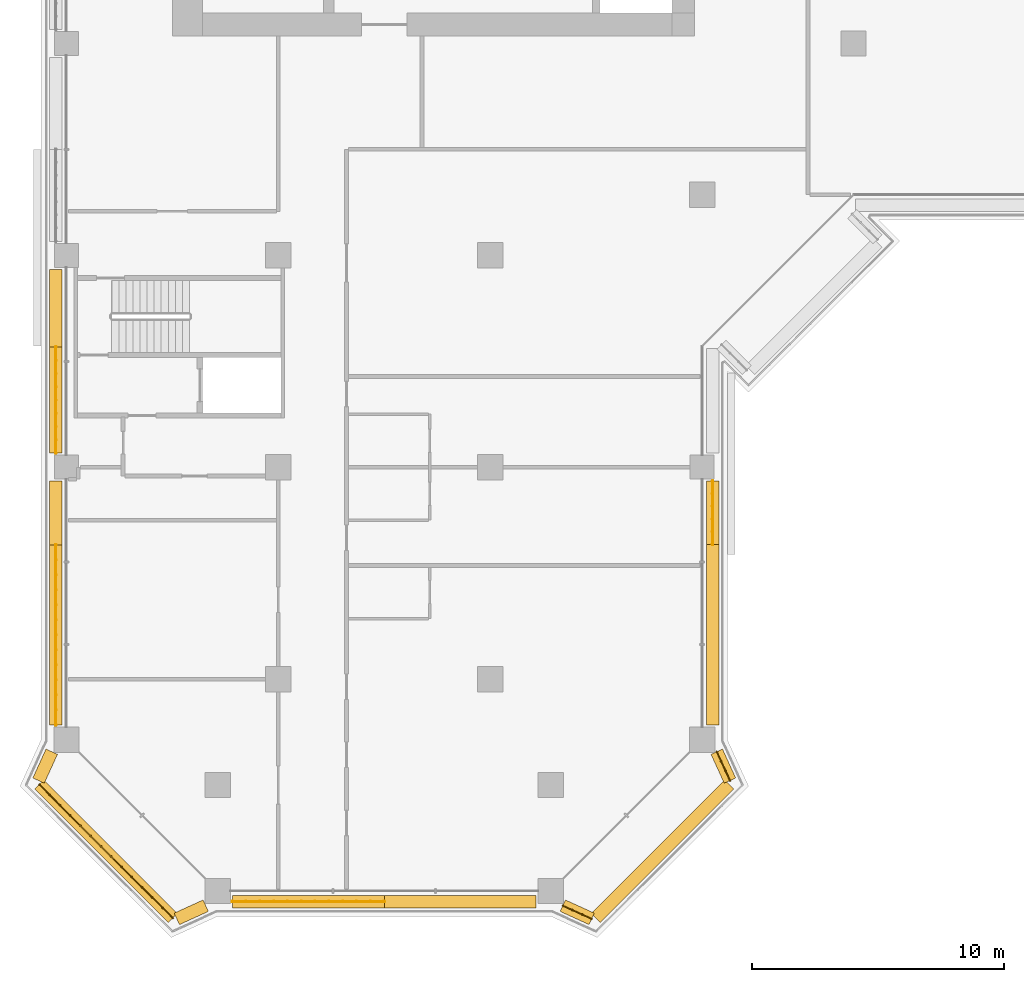
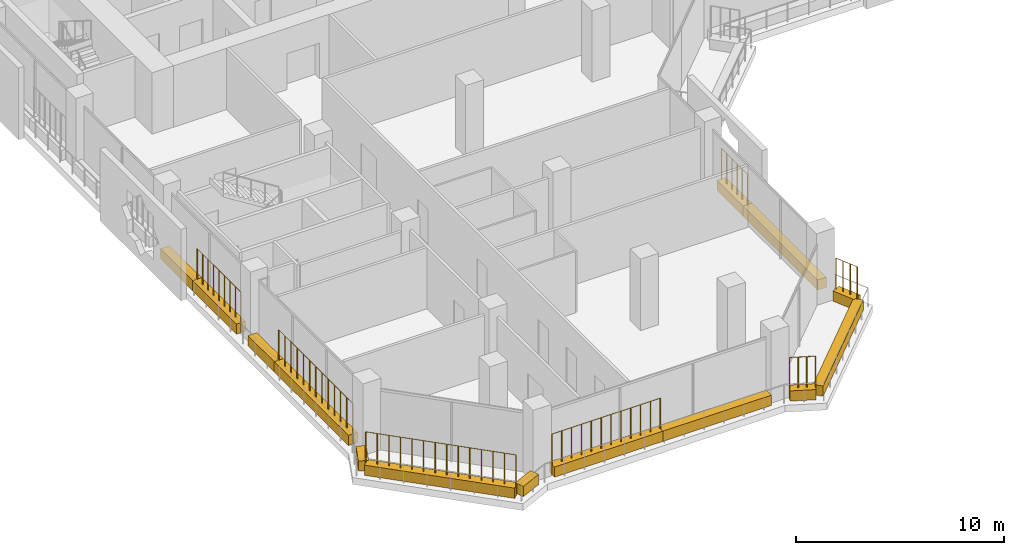
# One storey, part 16 of 23: 14 coverings, 7 railings.
"""IFC4 building model written with IfcOpenShell, lengths in metres."""

from ifc_helpers import new_model, si_unit, direction, frame, origin, origin_2d, place, context, subcontext, project, spatial, rectangle, circle, extrude, material, material_profile, profile_set, type_object, element, save


model = new_model("IFC4")

# Units and contexts
model_context = context("Model", 3, precision=1e-05, world=origin(), true_north=direction((0.0, 1.0)))
body_context = subcontext(model_context, "Body", "Model", "MODEL_VIEW")
ifc_project = project(units=[si_unit("LENGTHUNIT", "METRE"), si_unit("AREAUNIT", "SQUARE_METRE"), si_unit("VOLUMEUNIT", "CUBIC_METRE"), si_unit("PLANEANGLEUNIT", "RADIAN"), si_unit("MASSUNIT", "GRAM", prefix="KILO")], contexts=[model_context])

# Site, building, storey
site_placement = place(None, origin())
site = spatial("IfcSite", under=ifc_project, at=site_placement, CompositionType="ELEMENT")
building_placement = place(site_placement, origin())
building = spatial("IfcBuilding", under=site, at=building_placement, Name="Kawkab Arch Medical Tower", CompositionType="ELEMENT")
storey_placement = place(building_placement, frame((0.0, 0.0, 166.800048828125)))
storey = spatial("IfcBuildingStorey", under=building, at=storey_placement, Name="L38", CompositionType="ELEMENT", Elevation=166.800048828125)

# Coverings
ifc_material_1 = material(Name="Planting soil in a precast trough", Category="concrete")
ifc_material_profile = material_profile(ifc_material_1, rectangle(XDim=0.5, YDim=0.60009765625, at=origin_2d()), Name="Trough 500x600")
ifc_profile_set = profile_set([ifc_material_profile], Name="Planting soil in a precast trough")
covering_type = type_object("IfcCoveringType", Name="Planter trough 500 x 600", PredefinedType="USERDEFINED", material=ifc_profile_set)
covering_1_placement = place(storey_placement, frame((20.821044921875, -59.902099609375, 0.300048828125), z_axis=(-0.909707135283, 0.415250440113, 0.0), x_axis=(-0.415250440113, -0.909707135283, 0.0)))
element("IfcCovering", 1, at=covering_1_placement, inside=storey, type_object=covering_type, Name="Planter L38.LOG-01-02.1", ObjectType="PLANTER", PredefinedType="USERDEFINED", context=body_context, shape_type="SweptSolid", body=[
    extrude(rectangle(XDim=0.5, YDim=0.60009765625, at=origin_2d()), origin(), (0.0, 0.0, 1.0), 1.257568359375),
])
for number, where, z_axis, x_axis, name in (
    (2, (18.6201171875, -59.219970703125, 0.300048828125), (-1.0, 0.0, 0.0), (0.0, -1.0, 0.0), "Planter L38.LOG-01-02.2"),
    (3, (12.60009765625, -59.219970703125, 0.300048828125), (-1.0, 0.0, 0.0), (0.0, -1.0, 0.0), "Planter L38.LOG-01-02.3"),
):
    element("IfcCovering", number, at=place(storey_placement, frame(where, z_axis=z_axis, x_axis=x_axis)), inside=storey, type_object=covering_type, Name=name, ObjectType="PLANTER", PredefinedType="USERDEFINED", context=body_context, shape_type="SweptSolid", body=[
        extrude(rectangle(XDim=0.5, YDim=0.60009765625, at=origin_2d()), origin(), (0.0, 0.0, 1.0), 6.02001953125),
    ])
covering_2_placement = place(storey_placement, frame((5.52294921875, -59.3798828125, 0.300048828125), z_axis=(-0.909707135283, -0.415250440113, 0.0), x_axis=(0.415250440113, -0.909707135283, 0.0)))
element("IfcCovering", 4, at=covering_2_placement, inside=storey, type_object=covering_type, Name="Planter L38.LOG-01-02.4", ObjectType="PLANTER", PredefinedType="USERDEFINED", context=body_context, shape_type="SweptSolid", body=[
    extrude(rectangle(XDim=0.5, YDim=0.60009765625, at=origin_2d()), origin(), (0.0, 0.0, 1.0), 1.257568359375),
])
covering_3_placement = place(storey_placement, frame((4.217041015625, -59.873046875, 0.300048828125), z_axis=(-0.707106781187, 0.707106781187, 0.0), x_axis=(-0.707106781187, -0.707106781187, 0.0)))
element("IfcCovering", 5, at=covering_3_placement, inside=storey, type_object=covering_type, Name="Planter L38.LOG-01-02.5", ObjectType="PLANTER", PredefinedType="USERDEFINED", context=body_context, shape_type="SweptSolid", body=[
    extrude(rectangle(XDim=0.5, YDim=0.60009765625, at=origin_2d()), origin(), (0.0, 0.0, 1.0), 7.481201171875),
])
covering_4_placement = place(storey_placement, frame((-1.10205078125, -54.4208984375, 0.300048828125), z_axis=(0.415163092626, 0.909747001381, 0.0), x_axis=(-0.909747001381, 0.415163092626, 0.0)))
element("IfcCovering", 6, at=covering_4_placement, inside=storey, type_object=covering_type, Name="Planter L38.LOG-01-02.6", ObjectType="PLANTER", PredefinedType="USERDEFINED", context=body_context, shape_type="SweptSolid", body=[
    extrude(rectangle(XDim=0.5, YDim=0.60009765625, at=origin_2d()), origin(), (0.0, 0.0, 1.0), 1.25732421875),
])
covering_5_placement = place(storey_placement, frame((-0.419921875, -52.219970703125, 0.300048828125), z_axis=(0.0, 1.0, 0.0), x_axis=(-1.0, 0.0, 0.0)))
element("IfcCovering", 7, at=covering_5_placement, inside=storey, type_object=covering_type, Name="Planter L38.LOG-01-02.7", ObjectType="PLANTER", PredefinedType="USERDEFINED", context=body_context, shape_type="SweptSolid", body=[
    extrude(rectangle(XDim=0.5, YDim=0.60009765625, at=origin_2d()), origin(), (0.0, 0.0, 1.0), 7.135986328125),
])
covering_6_placement = place(storey_placement, frame((-0.419921875, -45.083984375, 0.300048828125), z_axis=(0.0, 1.0, 0.0), x_axis=(-1.0, 0.0, 0.0)))
element("IfcCovering", 8, at=covering_6_placement, inside=storey, type_object=covering_type, Name="Planter L38.LOG-01-02.8", ObjectType="PLANTER", PredefinedType="USERDEFINED", context=body_context, shape_type="SweptSolid", body=[
    extrude(rectangle(XDim=0.5, YDim=0.60009765625, at=origin_2d()), origin(), (0.0, 0.0, 1.0), 2.529052734375),
])
covering_7_placement = place(storey_placement, frame((-0.419921875, -41.445068359375, 0.300048828125), z_axis=(0.0, 1.0, 0.0), x_axis=(-1.0, 0.0, 0.0)))
element("IfcCovering", 9, at=covering_7_placement, inside=storey, type_object=covering_type, Name="Planter L38.LOG-01-02.9", ObjectType="PLANTER", PredefinedType="USERDEFINED", context=body_context, shape_type="SweptSolid", body=[
    extrude(rectangle(XDim=0.5, YDim=0.60009765625, at=origin_2d()), origin(), (0.0, 0.0, 1.0), 4.203125),
])
covering_8_placement = place(storey_placement, frame((-0.419921875, -37.241943359375, 0.300048828125), z_axis=(0.0, 1.0, 0.0), x_axis=(-1.0, 0.0, 0.0)))
element("IfcCovering", 10, at=covering_8_placement, inside=storey, type_object=covering_type, Name="Planter L38.LOG-01-02.10", ObjectType="PLANTER", PredefinedType="USERDEFINED", context=body_context, shape_type="SweptSolid", body=[
    extrude(rectangle(XDim=0.5, YDim=0.60009765625, at=origin_2d()), origin(), (0.0, 0.0, 1.0), 3.0869140625),
])
covering_9_placement = place(storey_placement, frame((25.6201171875, -42.554931640625, 0.300048828125), z_axis=(0.0, -1.0, 0.0), x_axis=(1.0, 0.0, 0.0)))
element("IfcCovering", 11, at=covering_9_placement, inside=storey, type_object=covering_type, Name="Planter L38.LOG-01-02.43", ObjectType="PLANTER", PredefinedType="USERDEFINED", context=body_context, shape_type="SweptSolid", body=[
    extrude(rectangle(XDim=0.5, YDim=0.60009765625, at=origin_2d()), origin(), (0.0, 0.0, 1.0), 2.5),
])
covering_10_placement = place(storey_placement, frame((25.6201171875, -45.054931640625, 0.300048828125), z_axis=(0.0, -1.0, 0.0), x_axis=(1.0, 0.0, 0.0)))
element("IfcCovering", 12, at=covering_10_placement, inside=storey, type_object=covering_type, Name="Planter L38.LOG-01-02.44", ObjectType="PLANTER", PredefinedType="USERDEFINED", context=body_context, shape_type="SweptSolid", body=[
    extrude(rectangle(XDim=0.5, YDim=0.60009765625, at=origin_2d()), origin(), (0.0, 0.0, 1.0), 7.1650390625),
])
covering_11_placement = place(storey_placement, frame((25.780029296875, -53.277099609375, 0.300048828125), z_axis=(0.415163092626, -0.909747001381, 0.0), x_axis=(0.909747001381, 0.415163092626, 0.0)))
element("IfcCovering", 13, at=covering_11_placement, inside=storey, type_object=covering_type, Name="Planter L38.LOG-01-02.45", ObjectType="PLANTER", PredefinedType="USERDEFINED", context=body_context, shape_type="SweptSolid", body=[
    extrude(rectangle(XDim=0.5, YDim=0.60009765625, at=origin_2d()), origin(), (0.0, 0.0, 1.0), 1.25732421875),
])
covering_12_placement = place(storey_placement, frame((26.27294921875, -54.5830078125, 0.300048828125), z_axis=(-0.707106781187, -0.707106781187, 0.0), x_axis=(0.707106781187, -0.707106781187, 0.0)))
element("IfcCovering", 14, at=covering_12_placement, inside=storey, type_object=covering_type, Name="Planter L38.LOG-01-02.46", ObjectType="PLANTER", PredefinedType="USERDEFINED", context=body_context, shape_type="SweptSolid", body=[
    extrude(rectangle(XDim=0.5, YDim=0.60009765625, at=origin_2d()), origin(), (0.0, 0.0, 1.0), 7.481201171875),
])

# Railings
ifc_material_2 = material(Name="Bronze anodised aluminium trellis for climbing plants", Category="aluminium")
railing_type = type_object("IfcRailingType", Name="Planting trellis 2400", PredefinedType="USERDEFINED", material=ifc_material_2)
railing_1_placement = place(storey_placement, frame((20.821044921875, -59.902099609375, 0.0)))
element("IfcRailing", 15, at=railing_1_placement, inside=storey, type_object=railing_type, Name="Planting trellis L38.LOG-01-02.1", ObjectType="TRELLIS", PredefinedType="USERDEFINED", context=body_context, shape_type="SweptSolid", body=[
    extrude(circle(Radius=0.01513671875, at=origin_2d()), frame((0.0, 0.0, 2.384765625), z_axis=(-0.909707135283, 0.415250440113, 0.0), x_axis=(-0.415250440113, -0.909707135283, 0.0)), (0.0, 0.0, 1.0), 1.257568359375),
    extrude(circle(Radius=0.030029296875, at=origin_2d()), origin(), (0.0, 0.0, 1.0), 2.369873046875),
    extrude(circle(Radius=0.030029296875, at=origin_2d()), frame((-0.38134765625, 0.174072265625, 0.0)), (0.0, 0.0, 1.0), 2.369873046875),
    extrude(circle(Radius=0.030029296875, at=origin_2d()), frame((-0.7626953125, 0.34814453125, 0.0)), (0.0, 0.0, 1.0), 2.369873046875),
    extrude(circle(Radius=0.030029296875, at=origin_2d()), frame((-1.14404296875, 0.522216796875, 0.0)), (0.0, 0.0, 1.0), 2.369873046875),
])
railing_2_placement = place(storey_placement, frame((12.60009765625, -59.219970703125, 0.0)))
element("IfcRailing", 16, at=railing_2_placement, inside=storey, type_object=railing_type, Name="Planting trellis L38.LOG-01-02.3", ObjectType="TRELLIS", PredefinedType="USERDEFINED", context=body_context, shape_type="SweptSolid", body=[
    extrude(circle(Radius=0.01513671875, at=origin_2d()), frame((0.0, 0.0, 2.384765625), z_axis=(-1.0, 0.0, 0.0), x_axis=(0.0, -1.0, 0.0)), (0.0, 0.0, 1.0), 6.02001953125),
    extrude(circle(Radius=0.030029296875, at=origin_2d()), origin(), (0.0, 0.0, 1.0), 2.369873046875),
    extrude(circle(Radius=0.030029296875, at=origin_2d()), frame((-0.54736328125, 0.0, 0.0)), (0.0, 0.0, 1.0), 2.369873046875),
    extrude(circle(Radius=0.030029296875, at=origin_2d()), frame((-1.094482421875, 0.0, 0.0)), (0.0, 0.0, 1.0), 2.369873046875),
    extrude(circle(Radius=0.030029296875, at=origin_2d()), frame((-1.641845703125, 0.0, 0.0)), (0.0, 0.0, 1.0), 2.369873046875),
    extrude(circle(Radius=0.030029296875, at=origin_2d()), frame((-2.189208984375, 0.0, 0.0)), (0.0, 0.0, 1.0), 2.369873046875),
    extrude(circle(Radius=0.030029296875, at=origin_2d()), frame((-2.736328125, 0.0, 0.0)), (0.0, 0.0, 1.0), 2.369873046875),
    extrude(circle(Radius=0.030029296875, at=origin_2d()), frame((-3.28369140625, 0.0, 0.0)), (0.0, 0.0, 1.0), 2.369873046875),
    extrude(circle(Radius=0.030029296875, at=origin_2d()), frame((-3.830810546875, 0.0, 0.0)), (0.0, 0.0, 1.0), 2.369873046875),
    extrude(circle(Radius=0.030029296875, at=origin_2d()), frame((-4.378173828125, 0.0, 0.0)), (0.0, 0.0, 1.0), 2.369873046875),
    extrude(circle(Radius=0.030029296875, at=origin_2d()), frame((-4.925537109375, 0.0, 0.0)), (0.0, 0.0, 1.0), 2.369873046875),
    extrude(circle(Radius=0.030029296875, at=origin_2d()), frame((-5.47265625, 0.0, 0.0)), (0.0, 0.0, 1.0), 2.369873046875),
    extrude(circle(Radius=0.030029296875, at=origin_2d()), frame((-6.02001953125, 0.0, 0.0)), (0.0, 0.0, 1.0), 2.369873046875),
])
railing_3_placement = place(storey_placement, frame((4.217041015625, -59.873046875, 0.0)))
element("IfcRailing", 17, at=railing_3_placement, inside=storey, type_object=railing_type, Name="Planting trellis L38.LOG-01-02.5", ObjectType="TRELLIS", PredefinedType="USERDEFINED", context=body_context, shape_type="SweptSolid", body=[
    extrude(circle(Radius=0.01513671875, at=origin_2d()), frame((0.0, 0.0, 2.384765625), z_axis=(-0.707106781187, 0.707106781187, 0.0), x_axis=(-0.707106781187, -0.707106781187, 0.0)), (0.0, 0.0, 1.0), 7.481201171875),
    extrude(circle(Radius=0.030029296875, at=origin_2d()), origin(), (0.0, 0.0, 1.0), 2.369873046875),
    extrude(circle(Radius=0.030029296875, at=origin_2d()), frame((-0.406982421875, 0.406982421875, 0.0)), (0.0, 0.0, 1.0), 2.369873046875),
    extrude(circle(Radius=0.030029296875, at=origin_2d()), frame((-0.81396484375, 0.81396484375, 0.0)), (0.0, 0.0, 1.0), 2.369873046875),
    extrude(circle(Radius=0.030029296875, at=origin_2d()), frame((-1.220703125, 1.220703125, 0.0)), (0.0, 0.0, 1.0), 2.369873046875),
    extrude(circle(Radius=0.030029296875, at=origin_2d()), frame((-1.627685546875, 1.627685546875, 0.0)), (0.0, 0.0, 1.0), 2.369873046875),
    extrude(circle(Radius=0.030029296875, at=origin_2d()), frame((-2.03466796875, 2.03466796875, 0.0)), (0.0, 0.0, 1.0), 2.369873046875),
    extrude(circle(Radius=0.030029296875, at=origin_2d()), frame((-2.441650390625, 2.441650390625, 0.0)), (0.0, 0.0, 1.0), 2.369873046875),
    extrude(circle(Radius=0.030029296875, at=origin_2d()), frame((-2.848388671875, 2.848388671875, 0.0)), (0.0, 0.0, 1.0), 2.369873046875),
    extrude(circle(Radius=0.030029296875, at=origin_2d()), frame((-3.25537109375, 3.25537109375, 0.0)), (0.0, 0.0, 1.0), 2.369873046875),
    extrude(circle(Radius=0.030029296875, at=origin_2d()), frame((-3.662353515625, 3.662353515625, 0.0)), (0.0, 0.0, 1.0), 2.369873046875),
    extrude(circle(Radius=0.030029296875, at=origin_2d()), frame((-4.0693359375, 4.0693359375, 0.0)), (0.0, 0.0, 1.0), 2.369873046875),
    extrude(circle(Radius=0.030029296875, at=origin_2d()), frame((-4.47607421875, 4.47607421875, 0.0)), (0.0, 0.0, 1.0), 2.369873046875),
    extrude(circle(Radius=0.030029296875, at=origin_2d()), frame((-4.883056640625, 4.883056640625, 0.0)), (0.0, 0.0, 1.0), 2.369873046875),
    extrude(circle(Radius=0.030029296875, at=origin_2d()), frame((-5.2900390625, 5.2900390625, 0.0)), (0.0, 0.0, 1.0), 2.369873046875),
])
railing_4_placement = place(storey_placement, frame((-0.419921875, -52.219970703125, 0.0)))
element("IfcRailing", 18, at=railing_4_placement, inside=storey, type_object=railing_type, Name="Planting trellis L38.LOG-01-02.7", ObjectType="TRELLIS", PredefinedType="USERDEFINED", context=body_context, shape_type="SweptSolid", body=[
    extrude(circle(Radius=0.01513671875, at=origin_2d()), frame((0.0, 0.0, 2.384765625), z_axis=(0.0, 1.0, 0.0), x_axis=(-1.0, 0.0, 0.0)), (0.0, 0.0, 1.0), 7.135986328125),
    extrude(circle(Radius=0.030029296875, at=origin_2d()), origin(), (0.0, 0.0, 1.0), 2.369873046875),
    extrude(circle(Radius=0.030029296875, at=origin_2d()), frame((0.0, 0.5947265625, 0.0)), (0.0, 0.0, 1.0), 2.369873046875),
    extrude(circle(Radius=0.030029296875, at=origin_2d()), frame((0.0, 1.189453125, 0.0)), (0.0, 0.0, 1.0), 2.369873046875),
    extrude(circle(Radius=0.030029296875, at=origin_2d()), frame((0.0, 1.783935546875, 0.0)), (0.0, 0.0, 1.0), 2.369873046875),
    extrude(circle(Radius=0.030029296875, at=origin_2d()), frame((0.0, 2.378662109375, 0.0)), (0.0, 0.0, 1.0), 2.369873046875),
    extrude(circle(Radius=0.030029296875, at=origin_2d()), frame((0.0, 2.973388671875, 0.0)), (0.0, 0.0, 1.0), 2.369873046875),
    extrude(circle(Radius=0.030029296875, at=origin_2d()), frame((0.0, 3.56787109375, 0.0)), (0.0, 0.0, 1.0), 2.369873046875),
    extrude(circle(Radius=0.030029296875, at=origin_2d()), frame((0.0, 4.16259765625, 0.0)), (0.0, 0.0, 1.0), 2.369873046875),
    extrude(circle(Radius=0.030029296875, at=origin_2d()), frame((0.0, 4.75732421875, 0.0)), (0.0, 0.0, 1.0), 2.369873046875),
    extrude(circle(Radius=0.030029296875, at=origin_2d()), frame((0.0, 5.35205078125, 0.0)), (0.0, 0.0, 1.0), 2.369873046875),
    extrude(circle(Radius=0.030029296875, at=origin_2d()), frame((0.0, 5.94677734375, 0.0)), (0.0, 0.0, 1.0), 2.369873046875),
    extrude(circle(Radius=0.030029296875, at=origin_2d()), frame((0.0, 6.541259765625, 0.0)), (0.0, 0.0, 1.0), 2.369873046875),
    extrude(circle(Radius=0.030029296875, at=origin_2d()), frame((0.0, 7.135986328125, 0.0)), (0.0, 0.0, 1.0), 2.369873046875),
])
railing_5_placement = place(storey_placement, frame((-0.419921875, -41.445068359375, 0.0)))
element("IfcRailing", 19, at=railing_5_placement, inside=storey, type_object=railing_type, Name="Planting trellis L38.LOG-01-02.9", ObjectType="TRELLIS", PredefinedType="USERDEFINED", context=body_context, shape_type="SweptSolid", body=[
    extrude(circle(Radius=0.01513671875, at=origin_2d()), frame((0.0, 0.0, 2.384765625), z_axis=(0.0, 1.0, 0.0), x_axis=(-1.0, 0.0, 0.0)), (0.0, 0.0, 1.0), 4.203125),
    extrude(circle(Radius=0.030029296875, at=origin_2d()), origin(), (0.0, 0.0, 1.0), 2.369873046875),
    extrude(circle(Radius=0.030029296875, at=origin_2d()), frame((0.0, 0.525390625, 0.0)), (0.0, 0.0, 1.0), 2.369873046875),
    extrude(circle(Radius=0.030029296875, at=origin_2d()), frame((0.0, 1.05078125, 0.0)), (0.0, 0.0, 1.0), 2.369873046875),
    extrude(circle(Radius=0.030029296875, at=origin_2d()), frame((0.0, 1.576171875, 0.0)), (0.0, 0.0, 1.0), 2.369873046875),
    extrude(circle(Radius=0.030029296875, at=origin_2d()), frame((0.0, 2.1015625, 0.0)), (0.0, 0.0, 1.0), 2.369873046875),
    extrude(circle(Radius=0.030029296875, at=origin_2d()), frame((0.0, 2.626953125, 0.0)), (0.0, 0.0, 1.0), 2.369873046875),
    extrude(circle(Radius=0.030029296875, at=origin_2d()), frame((0.0, 3.15234375, 0.0)), (0.0, 0.0, 1.0), 2.369873046875),
    extrude(circle(Radius=0.030029296875, at=origin_2d()), frame((0.0, 3.677734375, 0.0)), (0.0, 0.0, 1.0), 2.369873046875),
    extrude(circle(Radius=0.030029296875, at=origin_2d()), frame((0.0, 4.203125, 0.0)), (0.0, 0.0, 1.0), 2.369873046875),
])
railing_6_placement = place(storey_placement, frame((25.6201171875, -42.554931640625, 0.0)))
element("IfcRailing", 20, at=railing_6_placement, inside=storey, type_object=railing_type, Name="Planting trellis L38.LOG-01-02.43", ObjectType="TRELLIS", PredefinedType="USERDEFINED", context=body_context, shape_type="SweptSolid", body=[
    extrude(circle(Radius=0.01513671875, at=origin_2d()), frame((0.0, 0.0, 2.384765625), z_axis=(0.0, -1.0, 0.0), x_axis=(1.0, 0.0, 0.0)), (0.0, 0.0, 1.0), 2.5),
    extrude(circle(Radius=0.030029296875, at=origin_2d()), origin(), (0.0, 0.0, 1.0), 2.369873046875),
    extrude(circle(Radius=0.030029296875, at=origin_2d()), frame((0.0, -0.5, 0.0)), (0.0, 0.0, 1.0), 2.369873046875),
    extrude(circle(Radius=0.030029296875, at=origin_2d()), frame((0.0, -1.0, 0.0)), (0.0, 0.0, 1.0), 2.369873046875),
    extrude(circle(Radius=0.030029296875, at=origin_2d()), frame((0.0, -1.5, 0.0)), (0.0, 0.0, 1.0), 2.369873046875),
    extrude(circle(Radius=0.030029296875, at=origin_2d()), frame((0.0, -2.0, 0.0)), (0.0, 0.0, 1.0), 2.369873046875),
    extrude(circle(Radius=0.030029296875, at=origin_2d()), frame((0.0, -2.5, 0.0)), (0.0, 0.0, 1.0), 2.369873046875),
])
railing_7_placement = place(storey_placement, frame((25.780029296875, -53.277099609375, 0.0)))
element("IfcRailing", 21, at=railing_7_placement, inside=storey, type_object=railing_type, Name="Planting trellis L38.LOG-01-02.45", ObjectType="TRELLIS", PredefinedType="USERDEFINED", context=body_context, shape_type="SweptSolid", body=[
    extrude(circle(Radius=0.01513671875, at=origin_2d()), frame((0.0, 0.0, 2.384765625), z_axis=(0.415163092626, -0.909747001381, 0.0), x_axis=(0.909747001381, 0.415163092626, 0.0)), (0.0, 0.0, 1.0), 1.25732421875),
    extrude(circle(Radius=0.030029296875, at=origin_2d()), origin(), (0.0, 0.0, 1.0), 2.369873046875),
    extrude(circle(Radius=0.030029296875, at=origin_2d()), frame((0.174072265625, -0.38134765625, 0.0)), (0.0, 0.0, 1.0), 2.369873046875),
    extrude(circle(Radius=0.030029296875, at=origin_2d()), frame((0.347900390625, -0.762451171875, 0.0)), (0.0, 0.0, 1.0), 2.369873046875),
    extrude(circle(Radius=0.030029296875, at=origin_2d()), frame((0.52197265625, -1.143798828125, 0.0)), (0.0, 0.0, 1.0), 2.369873046875),
])

save(model, "model.ifc")
